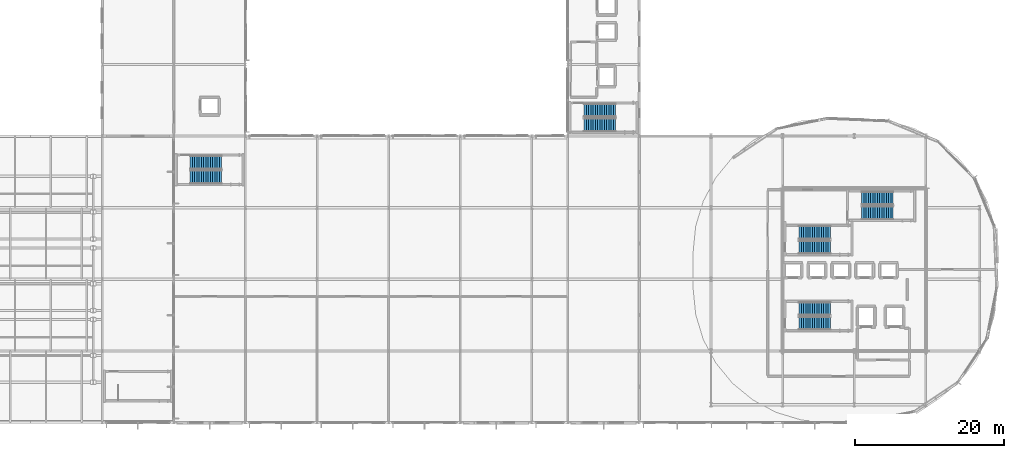
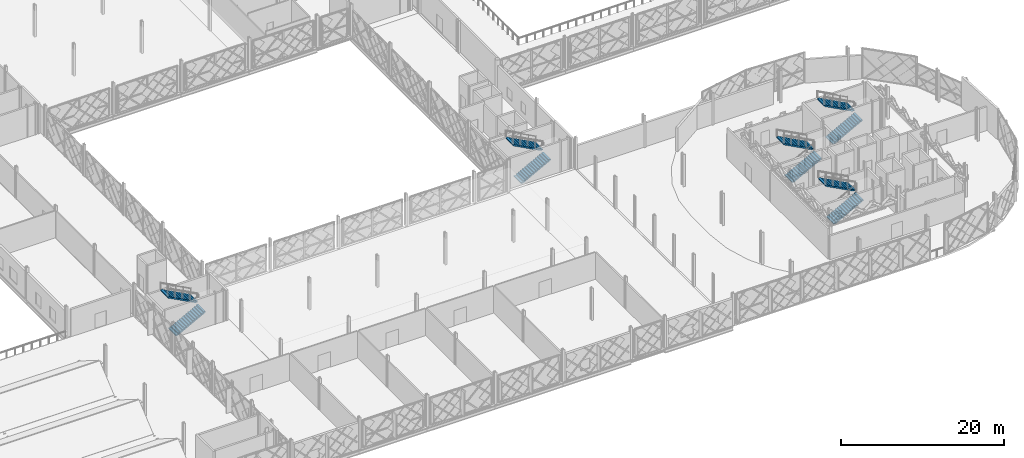
# One storey, part 54 of 77: 10 stair flights, 5 elements without a shape of their own.
"""IFC4 building model written with IfcOpenShell, lengths in metres."""

import ifcopenshell
import ifcopenshell.guid

model = None  # the IFC model being written
_history = None  # IfcOwnerHistory: only IFC2X3 demands one
_inside = {}  # id of a spatial element -> (the spatial element, [elements in it])
_under = {}  # id of a project, library or spatial element -> (it, [spatial elements below it])
_declared = {}  # id of a project -> (the project, [libraries it declares])
_typed = {}  # id of a type object -> (the type object, [elements of that type])
_made_of = {}  # id of a material, layer set ... -> (it, [elements and type objects made of it])


def new_model(schema):
    """Start an empty IFC model of exactly this schema.

    Asked for "IFC4X3", IfcOpenShell would pick the latest addendum, in which some entities
    have other attributes; the version numbers below select the first issue.
    IFC2X3 requires an IfcOwnerHistory on every rooted entity: one is made here for all.
    """
    global model, _history
    if schema == "IFC4X3":
        model = ifcopenshell.file(schema_version=(4, 3, 0, 0))
    else:
        model = ifcopenshell.file(schema=schema)
    _inside.clear()
    _under.clear()
    _declared.clear()
    _typed.clear()
    _made_of.clear()
    _history = None
    if model.schema == "IFC2X3":
        org = make("IfcOrganization", Name="unknown")
        user = make(
            "IfcPersonAndOrganization",
            ThePerson=make("IfcPerson", FamilyName="unknown"),
            TheOrganization=org,
        )
        app = make(
            "IfcApplication",
            ApplicationDeveloper=org,
            Version="unknown",
            ApplicationFullName="unknown",
            ApplicationIdentifier="unknown",
        )
        _history = make(
            "IfcOwnerHistory",
            OwningUser=user,
            OwningApplication=app,
            ChangeAction="ADDED",
            CreationDate=0,
        )
    return model


def make(cls, **values):
    """One entity of the class cls with the attributes given. An attribute that is None is left unset."""
    return model.create_entity(
        cls, **{name: value for name, value in values.items() if value is not None}
    )


def rooted(cls, **values):
    """An entity with a GlobalId (a new one), such as an element, a storey or a relation."""
    return make(cls, GlobalId=ifcopenshell.guid.new(), OwnerHistory=_history, **values)


def si_unit(unit_type, name, prefix=None):
    """IfcSIUnit, for example si_unit("LENGTHUNIT", "METRE", prefix="MILLI")."""
    return make("IfcSIUnit", UnitType=unit_type, Prefix=prefix, Name=name)


def assignment(units):
    """IfcUnitAssignment: the units of a project."""
    return None if units is None else make("IfcUnitAssignment", Units=units)


def point(xyz):
    """IfcCartesianPoint."""
    return None if xyz is None else make("IfcCartesianPoint", Coordinates=xyz)


def direction(xyz):
    """IfcDirection."""
    return None if xyz is None else make("IfcDirection", DirectionRatios=xyz)


def frame(location, z_axis=None, x_axis=None):
    """IfcAxis2Placement3D, a coordinate frame: its origin and axes. An axis left out is left unset."""
    return make(
        "IfcAxis2Placement3D",
        Location=point(location),
        Axis=direction(z_axis),
        RefDirection=direction(x_axis),
    )


def origin():
    """The frame at (0, 0, 0) with its axes left unset."""
    return frame((0.0, 0.0, 0.0))


def place(relative_to, where):
    """IfcLocalPlacement: puts the frame where relative to a parent placement (None: the world)."""
    return make(
        "IfcLocalPlacement", PlacementRelTo=relative_to, RelativePlacement=where
    )


def context(
    kind, dimensions, precision=None, world=None, true_north=None, identifier=None
):
    """IfcGeometricRepresentationContext, for example the 3D "Model" context."""
    return make(
        "IfcGeometricRepresentationContext",
        ContextIdentifier=identifier,
        ContextType=kind,
        CoordinateSpaceDimension=dimensions,
        Precision=precision,
        WorldCoordinateSystem=world,
        TrueNorth=true_north,
    )


def subcontext(parent, identifier, kind, view, scale=None):
    """IfcGeometricRepresentationSubContext, for example "Body" below "Model"."""
    return make(
        "IfcGeometricRepresentationSubContext",
        ContextIdentifier=identifier,
        ContextType=kind,
        ParentContext=parent,
        TargetScale=scale,
        TargetView=view,
    )


def project(units=None, contexts=None):
    """IfcProject with its units and contexts."""
    return rooted(
        "IfcProject",
        Name="project",
        RepresentationContexts=contexts,
        UnitsInContext=assignment(units),
    )


def spatial(cls, under=None, at=None, **own):
    """A site, building, storey or space (cls), placed at a placement, below another one or the project."""
    s = rooted(cls, ObjectPlacement=at, **own)
    if under is not None:
        _under.setdefault(under.id(), (under, []))[1].append(s)
    return s


def polyline(points):
    """IfcPolyline through the points."""
    return make("IfcPolyline", Points=[point(p) for p in points])


def outline(outer, holes=None, kind="AREA"):
    """IfcArbitraryClosedProfileDef: a profile drawn as a closed curve; with holes, ...WithVoids."""
    if holes is None:
        return make("IfcArbitraryClosedProfileDef", ProfileType=kind, OuterCurve=outer)
    return make(
        "IfcArbitraryProfileDefWithVoids",
        ProfileType=kind,
        OuterCurve=outer,
        InnerCurves=holes,
    )


def extrude(swept, where, along, depth):
    """IfcExtrudedAreaSolid: the profile swept, set in the frame where, extruded along a direction by depth."""
    return make(
        "IfcExtrudedAreaSolid",
        SweptArea=swept,
        Position=where,
        ExtrudedDirection=direction(along),
        Depth=depth,
    )


def shape(context_of_items, identifier, shape_type, items):
    """IfcShapeRepresentation: the items that make up one representation, for example the "Body"."""
    return make(
        "IfcShapeRepresentation",
        ContextOfItems=context_of_items,
        RepresentationIdentifier=identifier,
        RepresentationType=shape_type,
        Items=items,
    )


def material(Name=None, Category=None):
    """IfcMaterial."""
    return make("IfcMaterial", Name=Name, Category=Category)


def layer(
    of_material, thickness, ventilated=None, Name=None, Category=None, Priority=None
):
    """IfcMaterialLayer: one layer of a wall or slab, of a material (None: an air gap)."""
    return make(
        "IfcMaterialLayer",
        Material=of_material,
        LayerThickness=thickness,
        IsVentilated=ventilated,
        Name=Name,
        Category=Category,
        Priority=Priority,
    )


def layer_set(layers, Name=None):
    """IfcMaterialLayerSet."""
    return make("IfcMaterialLayerSet", MaterialLayers=layers, LayerSetName=Name)


def made_of(thing, what):
    """Note that an element or type object is made of a material, layer set ...; save() writes the relation."""
    if what is not None:
        _made_of.setdefault(what.id(), (what, []))[1].append(thing)
    return thing


def type_object(cls, material=None, **own):
    """A type object (cls), such as IfcWallType, which elements share."""
    return made_of(rooted(cls, **own), material)


def element(
    cls,
    number,
    at=None,
    inside=None,
    cuts=None,
    type_object=None,
    material=None,
    context=None,
    identifier="Body",
    shape_type=None,
    held_by="IfcProductDefinitionShape",
    body=None,
    shapes=None,
    **own,
):
    """One element of the class cls, such as IfcWall. Its Tag is "e" and its number.

    at: its placement. inside: the storey or other place that contains it. cuts: it is an
    opening in that element (IfcRelVoidsElement). A single representation is given by context,
    identifier, shape_type and body (its items); several are given by shapes. held_by: the class
    of the entity that holds the representations. save() writes the other relations.
    """
    e = rooted(cls, Tag="e%d" % number, ObjectPlacement=at, **own)
    if body is not None:
        shapes = [shape(context, identifier, shape_type, body)]
    if shapes is not None:
        e.Representation = make(held_by, Representations=shapes)
    if inside is not None:
        _inside.setdefault(inside.id(), (inside, []))[1].append(e)
    if cuts is not None:
        rooted(
            "IfcRelVoidsElement", RelatingBuildingElement=cuts, RelatedOpeningElement=e
        )
    if type_object is not None:
        _typed.setdefault(type_object.id(), (type_object, []))[1].append(e)
    return made_of(e, material)


def aggregate(whole, parts):
    """IfcRelAggregates: a whole, such as a stair, and the parts it consists of."""
    return rooted("IfcRelAggregates", RelatingObject=whole, RelatedObjects=parts)


def save(model, path):
    """Write the relations noted so far, then the file.

    IfcRelAggregates (storeys below a building ...), IfcRelContainedInSpatialStructure (elements
    in a storey), IfcRelDefinesByType, IfcRelAssociatesMaterial and IfcRelDeclares: one each for
    every whole, place, type object, material and project.
    """
    for whole, parts in _under.values():
        aggregate(whole, parts)
    for where, things in _inside.values():
        rooted(
            "IfcRelContainedInSpatialStructure",
            RelatedElements=things,
            RelatingStructure=where,
        )
    for kind, things in _typed.values():
        rooted("IfcRelDefinesByType", RelatedObjects=things, RelatingType=kind)
    for what, things in _made_of.values():
        rooted("IfcRelAssociatesMaterial", RelatedObjects=things, RelatingMaterial=what)
    for by, libraries in _declared.values():
        rooted("IfcRelDeclares", RelatingContext=by, RelatedDefinitions=libraries)
    model.write(path)


model = new_model("IFC4")

# Units and contexts
model_context = context("Model", 3, precision=1e-05, world=origin(), true_north=direction((0.0, 1.0)))
body_context = subcontext(model_context, "Body", "Model", "MODEL_VIEW")
ifc_project = project(units=[si_unit("LENGTHUNIT", "METRE"), si_unit("AREAUNIT", "SQUARE_METRE"), si_unit("VOLUMEUNIT", "CUBIC_METRE"), si_unit("PLANEANGLEUNIT", "RADIAN"), si_unit("MASSUNIT", "GRAM", prefix="KILO")], contexts=[model_context])

# Site, building, storey
site_placement = place(None, origin())
site = spatial("IfcSite", under=ifc_project, at=site_placement, CompositionType="ELEMENT")
building_placement = place(site_placement, origin())
building = spatial("IfcBuilding", under=site, at=building_placement, Name="Zevrakil Square Congress Hotel", CompositionType="ELEMENT")
storey_placement = place(building_placement, frame((0.0, 0.0, 9.89990234375)))
storey = spatial("IfcBuildingStorey", under=building, at=storey_placement, Name="L03", CompositionType="ELEMENT", Elevation=9.89990234375)

# Stair, stair flights
ifc_material_1 = material(Name="Concrete C35/45", Category="concrete")
stair_type = type_object("IfcStairType", Name="STR-DOGLEG-180", PredefinedType="HALF_TURN_STAIR", material=ifc_material_1)
stair_1_placement = place(storey_placement, origin())
stair_1 = element("IfcStair", 1, at=stair_1_placement, inside=storey, type_object=stair_type, Name="L03 Protected exit stair ST01", PredefinedType="HALF_TURN_STAIR")
ifc_material_2 = material(Name="Concrete C35/45", Category="concrete")
ifc_layer = layer(ifc_material_2, 0.159912109375)
ifc_layer_set = layer_set([ifc_layer], Name="Concrete C35/45")
stair_flight_type = type_object("IfcStairFlightType", Name="SFL-STRAIGHT-180", PredefinedType="STRAIGHT", material=ifc_layer_set)
stair_flight_1_placement = place(storey_placement, frame((139.0, 20.5, 0.0), z_axis=(0.0, 0.0, 1.0), x_axis=(1.0, 0.0, 0.0)))
stair_flight_1 = element("IfcStairFlight", 2, at=stair_flight_1_placement, type_object=stair_flight_type, Name="ST01 flight 1", NumberOfRisers=15, NumberOfTreads=14, PredefinedType="STRAIGHT", RiserHeight=0.16, TreadLength=0.3, context=body_context, shape_type="SweptSolid", body=[
    extrude(outline(polyline([(0.0, 0.0), (0.0, 0.159912109375), (0.300048828125, 0.159912109375), (0.300048828125, 0.320068359375), (0.60009765625, 0.320068359375), (0.60009765625, 0.47998046875), (0.89990234375, 0.47998046875), (0.89990234375, 0.639892578125), (1.199951171875, 0.639892578125), (1.199951171875, 0.800048828125), (1.5, 0.800048828125), (1.5, 0.9599609375), (1.800048828125, 0.9599609375), (1.800048828125, 1.1201171875), (2.10009765625, 1.1201171875), (2.10009765625, 1.280029296875), (2.39990234375, 1.280029296875), (2.39990234375, 1.43994140625), (2.699951171875, 1.43994140625), (2.699951171875, 1.60009765625), (3.0, 1.60009765625), (3.0, 1.760009765625), (3.300048828125, 1.760009765625), (3.300048828125, 1.919921875), (3.60009765625, 1.919921875), (3.60009765625, 2.080078125), (3.89990234375, 2.080078125), (3.89990234375, 2.239990234375), (4.199951171875, 2.239990234375), (4.199951171875, 2.39990234375), (4.199951171875, 2.070068359375), (0.318603515625, 0.0), (0.0, 0.0)])), frame((0.0, 0.89990234375, 0.0), z_axis=(0.0, -1.0, 0.0), x_axis=(1.0, 0.0, 0.0)), (0.0, 0.0, 1.0), 1.800048828125),
])
stair_flight_2_placement = place(storey_placement, frame((143.199951171875, 22.449951171875, 2.400146484375), z_axis=(0.0, 0.0, 1.0), x_axis=(-1.0, 0.0, 0.0)))
stair_flight_2 = element("IfcStairFlight", 3, at=stair_flight_2_placement, type_object=stair_flight_type, Name="ST01 flight 2", NumberOfRisers=15, NumberOfTreads=14, PredefinedType="STRAIGHT", RiserHeight=0.16, TreadLength=0.3, context=body_context, shape_type="SweptSolid", body=[
    extrude(outline(polyline([(0.0, 0.0), (0.0, 0.159912109375), (0.300048828125, 0.159912109375), (0.300048828125, 0.320068359375), (0.60009765625, 0.320068359375), (0.60009765625, 0.47998046875), (0.89990234375, 0.47998046875), (0.89990234375, 0.639892578125), (1.199951171875, 0.639892578125), (1.199951171875, 0.800048828125), (1.5, 0.800048828125), (1.5, 0.9599609375), (1.800048828125, 0.9599609375), (1.800048828125, 1.1201171875), (2.10009765625, 1.1201171875), (2.10009765625, 1.280029296875), (2.39990234375, 1.280029296875), (2.39990234375, 1.43994140625), (2.699951171875, 1.43994140625), (2.699951171875, 1.60009765625), (3.0, 1.60009765625), (3.0, 1.760009765625), (3.300048828125, 1.760009765625), (3.300048828125, 1.919921875), (3.60009765625, 1.919921875), (3.60009765625, 2.080078125), (3.89990234375, 2.080078125), (3.89990234375, 2.239990234375), (4.199951171875, 2.239990234375), (4.199951171875, 2.39990234375), (4.199951171875, 2.070068359375), (0.318603515625, 0.0), (0.0, 0.0)])), frame((0.0, 0.89990234375, 0.0), z_axis=(0.0, -1.0, 0.0), x_axis=(1.0, 0.0, 0.0)), (0.0, 0.0, 1.0), 1.800048828125),
])
aggregate(stair_1, [stair_flight_1, stair_flight_2])

stair_2_placement = place(storey_placement, origin())
stair_2 = element("IfcStair", 4, at=stair_2_placement, inside=storey, type_object=stair_type, Name="L03 Protected exit stair ST02", PredefinedType="HALF_TURN_STAIR")
stair_flight_3_placement = place(storey_placement, frame((139.0, 30.699951171875, 0.0), z_axis=(0.0, 0.0, 1.0), x_axis=(1.0, 0.0, 0.0)))
stair_flight_3 = element("IfcStairFlight", 5, at=stair_flight_3_placement, type_object=stair_flight_type, Name="ST02 flight 1", NumberOfRisers=15, NumberOfTreads=14, PredefinedType="STRAIGHT", RiserHeight=0.16, TreadLength=0.3, context=body_context, shape_type="SweptSolid", body=[
    extrude(outline(polyline([(0.0, 0.0), (0.0, 0.159912109375), (0.300048828125, 0.159912109375), (0.300048828125, 0.320068359375), (0.60009765625, 0.320068359375), (0.60009765625, 0.47998046875), (0.89990234375, 0.47998046875), (0.89990234375, 0.639892578125), (1.199951171875, 0.639892578125), (1.199951171875, 0.800048828125), (1.5, 0.800048828125), (1.5, 0.9599609375), (1.800048828125, 0.9599609375), (1.800048828125, 1.1201171875), (2.10009765625, 1.1201171875), (2.10009765625, 1.280029296875), (2.39990234375, 1.280029296875), (2.39990234375, 1.43994140625), (2.699951171875, 1.43994140625), (2.699951171875, 1.60009765625), (3.0, 1.60009765625), (3.0, 1.760009765625), (3.300048828125, 1.760009765625), (3.300048828125, 1.919921875), (3.60009765625, 1.919921875), (3.60009765625, 2.080078125), (3.89990234375, 2.080078125), (3.89990234375, 2.239990234375), (4.199951171875, 2.239990234375), (4.199951171875, 2.39990234375), (4.199951171875, 2.070068359375), (0.318603515625, 0.0), (0.0, 0.0)])), frame((0.0, 0.89990234375, 0.0), z_axis=(0.0, -1.0, 0.0), x_axis=(1.0, 0.0, 0.0)), (0.0, 0.0, 1.0), 1.800048828125),
])
stair_flight_4_placement = place(storey_placement, frame((143.199951171875, 32.64990234375, 2.400146484375), z_axis=(0.0, 0.0, 1.0), x_axis=(-1.0, 0.0, 0.0)))
stair_flight_4 = element("IfcStairFlight", 6, at=stair_flight_4_placement, type_object=stair_flight_type, Name="ST02 flight 2", NumberOfRisers=15, NumberOfTreads=14, PredefinedType="STRAIGHT", RiserHeight=0.16, TreadLength=0.3, context=body_context, shape_type="SweptSolid", body=[
    extrude(outline(polyline([(0.0, 0.0), (0.0, 0.159912109375), (0.300048828125, 0.159912109375), (0.300048828125, 0.320068359375), (0.60009765625, 0.320068359375), (0.60009765625, 0.47998046875), (0.89990234375, 0.47998046875), (0.89990234375, 0.639892578125), (1.199951171875, 0.639892578125), (1.199951171875, 0.800048828125), (1.5, 0.800048828125), (1.5, 0.9599609375), (1.800048828125, 0.9599609375), (1.800048828125, 1.1201171875), (2.10009765625, 1.1201171875), (2.10009765625, 1.280029296875), (2.39990234375, 1.280029296875), (2.39990234375, 1.43994140625), (2.699951171875, 1.43994140625), (2.699951171875, 1.60009765625), (3.0, 1.60009765625), (3.0, 1.760009765625), (3.300048828125, 1.760009765625), (3.300048828125, 1.919921875), (3.60009765625, 1.919921875), (3.60009765625, 2.080078125), (3.89990234375, 2.080078125), (3.89990234375, 2.239990234375), (4.199951171875, 2.239990234375), (4.199951171875, 2.39990234375), (4.199951171875, 2.070068359375), (0.318603515625, 0.0), (0.0, 0.0)])), frame((0.0, 0.89990234375, 0.0), z_axis=(0.0, -1.0, 0.0), x_axis=(1.0, 0.0, 0.0)), (0.0, 0.0, 1.0), 1.800048828125),
])
aggregate(stair_2, [stair_flight_3, stair_flight_4])

stair_3_placement = place(storey_placement, origin())
stair_3 = element("IfcStair", 7, at=stair_3_placement, inside=storey, type_object=stair_type, Name="L03 Protected exit stair ST03", PredefinedType="HALF_TURN_STAIR")
stair_flight_5_placement = place(storey_placement, frame((147.39990234375, 35.300048828125, 0.0), z_axis=(0.0, 0.0, 1.0), x_axis=(1.0, 0.0, 0.0)))
stair_flight_5 = element("IfcStairFlight", 8, at=stair_flight_5_placement, type_object=stair_flight_type, Name="ST03 flight 1", NumberOfRisers=15, NumberOfTreads=14, PredefinedType="STRAIGHT", RiserHeight=0.16, TreadLength=0.3, context=body_context, shape_type="SweptSolid", body=[
    extrude(outline(polyline([(0.0, 0.0), (0.0, 0.159912109375), (0.300048828125, 0.159912109375), (0.300048828125, 0.320068359375), (0.60009765625, 0.320068359375), (0.60009765625, 0.47998046875), (0.89990234375, 0.47998046875), (0.89990234375, 0.639892578125), (1.199951171875, 0.639892578125), (1.199951171875, 0.800048828125), (1.5, 0.800048828125), (1.5, 0.9599609375), (1.800048828125, 0.9599609375), (1.800048828125, 1.1201171875), (2.10009765625, 1.1201171875), (2.10009765625, 1.280029296875), (2.39990234375, 1.280029296875), (2.39990234375, 1.43994140625), (2.699951171875, 1.43994140625), (2.699951171875, 1.60009765625), (3.0, 1.60009765625), (3.0, 1.760009765625), (3.300048828125, 1.760009765625), (3.300048828125, 1.919921875), (3.60009765625, 1.919921875), (3.60009765625, 2.080078125), (3.89990234375, 2.080078125), (3.89990234375, 2.239990234375), (4.199951171875, 2.239990234375), (4.199951171875, 2.39990234375), (4.199951171875, 2.070068359375), (0.318603515625, 0.0), (0.0, 0.0)])), frame((0.0, 0.89990234375, 0.0), z_axis=(0.0, -1.0, 0.0), x_axis=(1.0, 0.0, 0.0)), (0.0, 0.0, 1.0), 1.800048828125),
])
stair_flight_6_placement = place(storey_placement, frame((151.60009765625, 37.25, 2.400146484375), z_axis=(0.0, 0.0, 1.0), x_axis=(-1.0, 0.0, 0.0)))
stair_flight_6 = element("IfcStairFlight", 9, at=stair_flight_6_placement, type_object=stair_flight_type, Name="ST03 flight 2", NumberOfRisers=15, NumberOfTreads=14, PredefinedType="STRAIGHT", RiserHeight=0.16, TreadLength=0.3, context=body_context, shape_type="SweptSolid", body=[
    extrude(outline(polyline([(0.0, 0.0), (0.0, 0.159912109375), (0.300048828125, 0.159912109375), (0.300048828125, 0.320068359375), (0.60009765625, 0.320068359375), (0.60009765625, 0.47998046875), (0.89990234375, 0.47998046875), (0.89990234375, 0.639892578125), (1.199951171875, 0.639892578125), (1.199951171875, 0.800048828125), (1.5, 0.800048828125), (1.5, 0.9599609375), (1.800048828125, 0.9599609375), (1.800048828125, 1.1201171875), (2.10009765625, 1.1201171875), (2.10009765625, 1.280029296875), (2.39990234375, 1.280029296875), (2.39990234375, 1.43994140625), (2.699951171875, 1.43994140625), (2.699951171875, 1.60009765625), (3.0, 1.60009765625), (3.0, 1.760009765625), (3.300048828125, 1.760009765625), (3.300048828125, 1.919921875), (3.60009765625, 1.919921875), (3.60009765625, 2.080078125), (3.89990234375, 2.080078125), (3.89990234375, 2.239990234375), (4.199951171875, 2.239990234375), (4.199951171875, 2.39990234375), (4.199951171875, 2.070068359375), (0.318603515625, 0.0), (0.0, 0.0)])), frame((0.0, 0.89990234375, 0.0), z_axis=(0.0, -1.0, 0.0), x_axis=(1.0, 0.0, 0.0)), (0.0, 0.0, 1.0), 1.800048828125),
])
aggregate(stair_3, [stair_flight_5, stair_flight_6])

stair_4_placement = place(storey_placement, origin())
stair_4 = element("IfcStair", 10, at=stair_4_placement, inside=storey, type_object=stair_type, Name="L03 Protected exit stair ST04", PredefinedType="HALF_TURN_STAIR")
stair_flight_7_placement = place(storey_placement, frame((57.39990234375, 40.10009765625, 0.0), z_axis=(0.0, 0.0, 1.0), x_axis=(1.0, 0.0, 0.0)))
stair_flight_7 = element("IfcStairFlight", 11, at=stair_flight_7_placement, type_object=stair_flight_type, Name="ST04 flight 1", NumberOfRisers=15, NumberOfTreads=14, PredefinedType="STRAIGHT", RiserHeight=0.16, TreadLength=0.3, context=body_context, shape_type="SweptSolid", body=[
    extrude(outline(polyline([(0.0, 0.0), (0.0, 0.159912109375), (0.300048828125, 0.159912109375), (0.300048828125, 0.320068359375), (0.60009765625, 0.320068359375), (0.60009765625, 0.47998046875), (0.89990234375, 0.47998046875), (0.89990234375, 0.639892578125), (1.199951171875, 0.639892578125), (1.199951171875, 0.800048828125), (1.5, 0.800048828125), (1.5, 0.9599609375), (1.800048828125, 0.9599609375), (1.800048828125, 1.1201171875), (2.10009765625, 1.1201171875), (2.10009765625, 1.280029296875), (2.39990234375, 1.280029296875), (2.39990234375, 1.43994140625), (2.699951171875, 1.43994140625), (2.699951171875, 1.60009765625), (3.0, 1.60009765625), (3.0, 1.760009765625), (3.300048828125, 1.760009765625), (3.300048828125, 1.919921875), (3.60009765625, 1.919921875), (3.60009765625, 2.080078125), (3.89990234375, 2.080078125), (3.89990234375, 2.239990234375), (4.199951171875, 2.239990234375), (4.199951171875, 2.39990234375), (4.199951171875, 2.070068359375), (0.318603515625, 0.0), (0.0, 0.0)])), frame((0.0, 0.89990234375, 0.0), z_axis=(0.0, -1.0, 0.0), x_axis=(1.0, 0.0, 0.0)), (0.0, 0.0, 1.0), 1.800048828125),
])
stair_flight_8_placement = place(storey_placement, frame((61.60009765625, 42.050048828125, 2.400146484375), z_axis=(0.0, 0.0, 1.0), x_axis=(-1.0, 0.0, 0.0)))
stair_flight_8 = element("IfcStairFlight", 12, at=stair_flight_8_placement, type_object=stair_flight_type, Name="ST04 flight 2", NumberOfRisers=15, NumberOfTreads=14, PredefinedType="STRAIGHT", RiserHeight=0.16, TreadLength=0.3, context=body_context, shape_type="SweptSolid", body=[
    extrude(outline(polyline([(0.0, 0.0), (0.0, 0.159912109375), (0.300048828125, 0.159912109375), (0.300048828125, 0.320068359375), (0.60009765625, 0.320068359375), (0.60009765625, 0.47998046875), (0.89990234375, 0.47998046875), (0.89990234375, 0.639892578125), (1.199951171875, 0.639892578125), (1.199951171875, 0.800048828125), (1.5, 0.800048828125), (1.5, 0.9599609375), (1.800048828125, 0.9599609375), (1.800048828125, 1.1201171875), (2.10009765625, 1.1201171875), (2.10009765625, 1.280029296875), (2.39990234375, 1.280029296875), (2.39990234375, 1.43994140625), (2.699951171875, 1.43994140625), (2.699951171875, 1.60009765625), (3.0, 1.60009765625), (3.0, 1.760009765625), (3.300048828125, 1.760009765625), (3.300048828125, 1.919921875), (3.60009765625, 1.919921875), (3.60009765625, 2.080078125), (3.89990234375, 2.080078125), (3.89990234375, 2.239990234375), (4.199951171875, 2.239990234375), (4.199951171875, 2.39990234375), (4.199951171875, 2.070068359375), (0.318603515625, 0.0), (0.0, 0.0)])), frame((0.0, 0.89990234375, 0.0), z_axis=(0.0, -1.0, 0.0), x_axis=(1.0, 0.0, 0.0)), (0.0, 0.0, 1.0), 1.800048828125),
])
aggregate(stair_4, [stair_flight_7, stair_flight_8])

stair_5_placement = place(storey_placement, origin())
stair_5 = element("IfcStair", 13, at=stair_5_placement, inside=storey, type_object=stair_type, Name="L03 Protected exit stair ST07", PredefinedType="HALF_TURN_STAIR")
stair_flight_9_placement = place(storey_placement, frame((110.199951171875, 47.10009765625, 0.0), z_axis=(0.0, 0.0, 1.0), x_axis=(1.0, 0.0, 0.0)))
stair_flight_9 = element("IfcStairFlight", 14, at=stair_flight_9_placement, type_object=stair_flight_type, Name="ST07 flight 1", NumberOfRisers=15, NumberOfTreads=14, PredefinedType="STRAIGHT", RiserHeight=0.16, TreadLength=0.3, context=body_context, shape_type="SweptSolid", body=[
    extrude(outline(polyline([(0.0, 0.0), (0.0, 0.159912109375), (0.300048828125, 0.159912109375), (0.300048828125, 0.320068359375), (0.60009765625, 0.320068359375), (0.60009765625, 0.47998046875), (0.89990234375, 0.47998046875), (0.89990234375, 0.639892578125), (1.199951171875, 0.639892578125), (1.199951171875, 0.800048828125), (1.5, 0.800048828125), (1.5, 0.9599609375), (1.800048828125, 0.9599609375), (1.800048828125, 1.1201171875), (2.10009765625, 1.1201171875), (2.10009765625, 1.280029296875), (2.39990234375, 1.280029296875), (2.39990234375, 1.43994140625), (2.699951171875, 1.43994140625), (2.699951171875, 1.60009765625), (3.0, 1.60009765625), (3.0, 1.760009765625), (3.300048828125, 1.760009765625), (3.300048828125, 1.919921875), (3.60009765625, 1.919921875), (3.60009765625, 2.080078125), (3.89990234375, 2.080078125), (3.89990234375, 2.239990234375), (4.199951171875, 2.239990234375), (4.199951171875, 2.39990234375), (4.199951171875, 2.070068359375), (0.318603515625, 0.0), (0.0, 0.0)])), frame((0.0, 0.89990234375, 0.0), z_axis=(0.0, -1.0, 0.0), x_axis=(1.0, 0.0, 0.0)), (0.0, 0.0, 1.0), 1.800048828125),
])
stair_flight_10_placement = place(storey_placement, frame((114.39990234375, 49.050048828125, 2.400146484375), z_axis=(0.0, 0.0, 1.0), x_axis=(-1.0, 0.0, 0.0)))
stair_flight_10 = element("IfcStairFlight", 15, at=stair_flight_10_placement, type_object=stair_flight_type, Name="ST07 flight 2", NumberOfRisers=15, NumberOfTreads=14, PredefinedType="STRAIGHT", RiserHeight=0.16, TreadLength=0.3, context=body_context, shape_type="SweptSolid", body=[
    extrude(outline(polyline([(0.0, 0.0), (0.0, 0.159912109375), (0.300048828125, 0.159912109375), (0.300048828125, 0.320068359375), (0.60009765625, 0.320068359375), (0.60009765625, 0.47998046875), (0.89990234375, 0.47998046875), (0.89990234375, 0.639892578125), (1.199951171875, 0.639892578125), (1.199951171875, 0.800048828125), (1.5, 0.800048828125), (1.5, 0.9599609375), (1.800048828125, 0.9599609375), (1.800048828125, 1.1201171875), (2.10009765625, 1.1201171875), (2.10009765625, 1.280029296875), (2.39990234375, 1.280029296875), (2.39990234375, 1.43994140625), (2.699951171875, 1.43994140625), (2.699951171875, 1.60009765625), (3.0, 1.60009765625), (3.0, 1.760009765625), (3.300048828125, 1.760009765625), (3.300048828125, 1.919921875), (3.60009765625, 1.919921875), (3.60009765625, 2.080078125), (3.89990234375, 2.080078125), (3.89990234375, 2.239990234375), (4.199951171875, 2.239990234375), (4.199951171875, 2.39990234375), (4.199951171875, 2.070068359375), (0.318603515625, 0.0), (0.0, 0.0)])), frame((0.0, 0.89990234375, 0.0), z_axis=(0.0, -1.0, 0.0), x_axis=(1.0, 0.0, 0.0)), (0.0, 0.0, 1.0), 1.800048828125),
])
aggregate(stair_5, [stair_flight_9, stair_flight_10])

save(model, "model.ifc")
